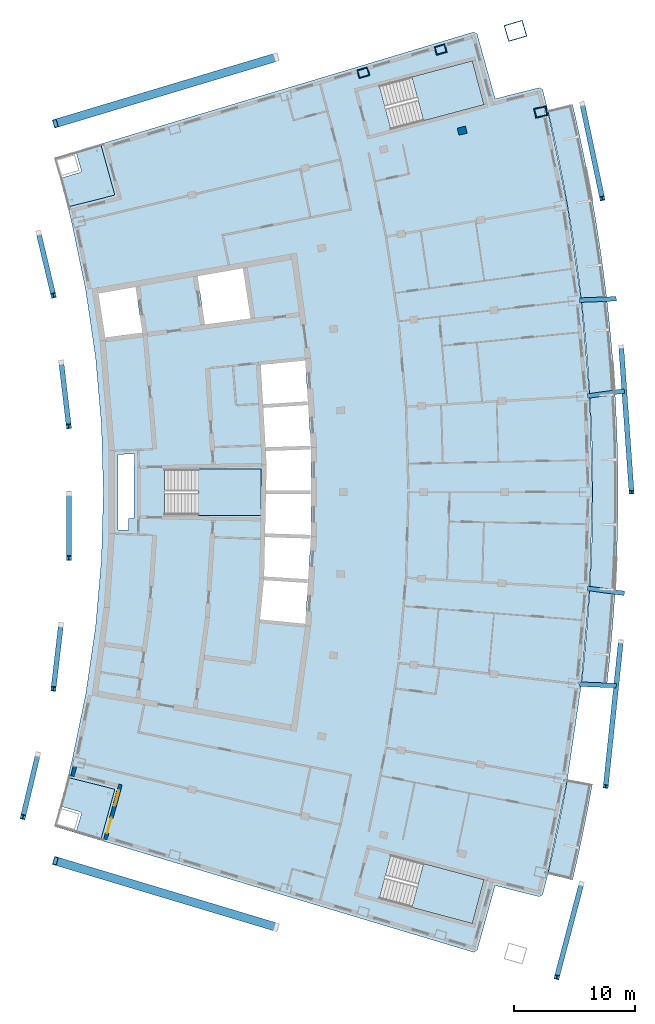
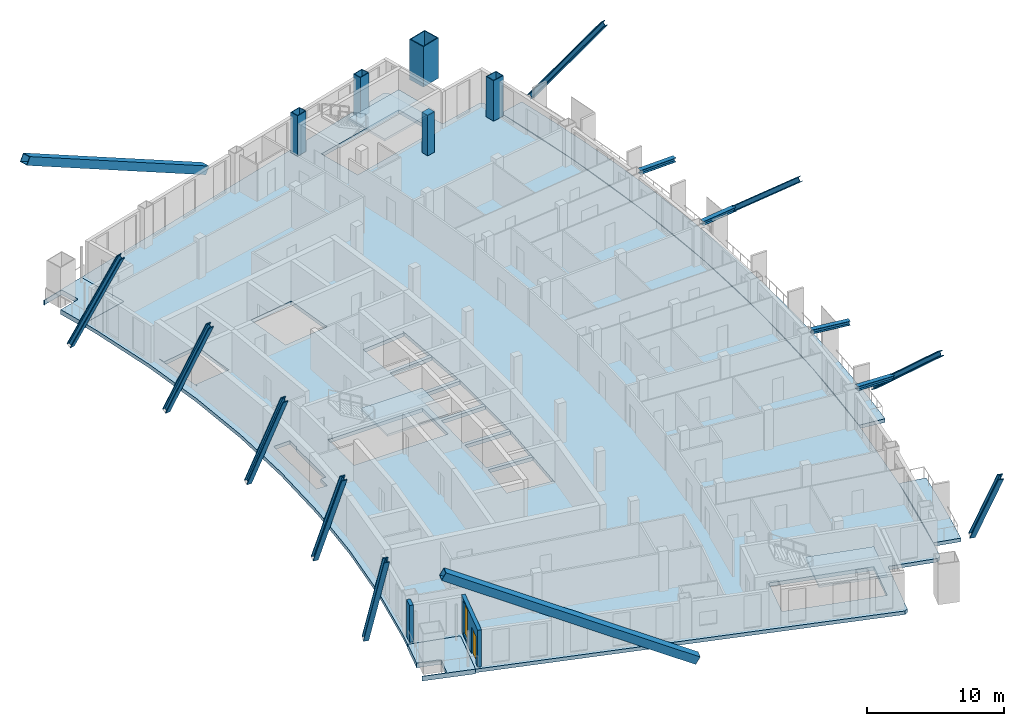
# One storey, part 6 of 17: 15 members, 8 slabs, 5 columns, 2 walls, 1 door, 1 window, 2 openings, 3 elements without a shape of their own.
"""IFC4 building model written with IfcOpenShell, lengths in metres."""

from ifc_helpers import new_model, si_unit, direction, frame, frame_2d, origin, origin_2d, place, context, subcontext, project, spatial, polyline, rectangle, hollow_rectangle, i_section, outline, extrude, material, layer, layer_set, material_profile, profile_set, type_object, element, fill, aggregate, save


model = new_model("IFC4")

# Units and contexts
model_context = context("Model", 3, precision=1e-05, world=origin(), true_north=direction((0.0, 1.0)))
body_context = subcontext(model_context, "Body", "Model", "MODEL_VIEW")
ifc_project = project(units=[si_unit("LENGTHUNIT", "METRE"), si_unit("AREAUNIT", "SQUARE_METRE"), si_unit("VOLUMEUNIT", "CUBIC_METRE"), si_unit("PLANEANGLEUNIT", "RADIAN"), si_unit("MASSUNIT", "GRAM", prefix="KILO")], contexts=[model_context])

# Site, building, storey
site_placement = place(None, origin())
site = spatial("IfcSite", under=ifc_project, at=site_placement, CompositionType="ELEMENT")
building_placement = place(site_placement, origin())
building = spatial("IfcBuilding", under=site, at=building_placement, Name="Alderwake Tower", CompositionType="ELEMENT")
storey_placement = place(building_placement, frame((0.0, 0.0, 278.0)))
storey = spatial("IfcBuildingStorey", under=building, at=storey_placement, Name="L69", CompositionType="ELEMENT", Elevation=278.0)

# Columns
ifc_material_1 = material(Name="Steel ASTM A572 Grade 50 concrete filled C70/85", Category="concrete")
ifc_material_profile_1 = material_profile(ifc_material_1, hollow_rectangle(XDim=0.699951171875, YDim=0.89990234375, WallThickness=0.050048828125, at=origin_2d()), Name="BOX 900X700X50")
ifc_profile_set_1 = profile_set([ifc_material_profile_1], Name="Steel ASTM A572 Grade 50 concrete filled C70/85")
column_type_1 = type_object("IfcColumnType", Name="End column Z5", PredefinedType="COLUMN", material=ifc_profile_set_1)
for number, where, z_axis, x_axis, name in (
    (1, (37.465576171875, 95.64013671875, 0.0), (0.0, 0.0, 1.0), (-0.282853758087, 0.95916304742, 0.0), "Column R12-C3"),
    (2, (43.8505859375, 97.55712890625, 0.0), (0.0, 0.0, 1.0), (-0.283096487049, 0.95909143413, 0.0), "Column R12-C4"),
):
    element("IfcColumn", number, at=place(storey_placement, frame(where, z_axis=z_axis, x_axis=x_axis)), inside=storey, type_object=column_type_1, Name=name, PredefinedType="COLUMN", context=body_context, shape_type="SweptSolid", body=[
        extrude(hollow_rectangle(XDim=0.699951171875, YDim=0.89990234375, WallThickness=0.050048828125, at=origin_2d()), origin(), (0.0, 0.0, 1.0), 3.60009765625),
    ])
ifc_material_2 = material(Name="Concrete C70/85", Category="concrete")
ifc_material_profile_2 = material_profile(ifc_material_2, rectangle(XDim=0.60009765625, YDim=0.699951171875, at=origin_2d()), Name="RC 700X600")
ifc_profile_set_2 = profile_set([ifc_material_profile_2], Name="Concrete C70/85")
column_type_2 = type_object("IfcColumnType", Name="Interior column Z5", PredefinedType="COLUMN", material=ifc_profile_set_2)
column_1_placement = place(storey_placement, frame((45.6337890625, 90.8583984375, 0.0), z_axis=(0.0, 0.0, 1.0), x_axis=(-0.231221547198, 0.972901123502, 0.0)))
element("IfcColumn", 3, at=column_1_placement, inside=storey, type_object=column_type_2, Name="Column R11-C4", PredefinedType="COLUMN", context=body_context, shape_type="SweptSolid", body=[
    extrude(rectangle(XDim=0.60009765625, YDim=0.699951171875, at=origin_2d()), origin(), (0.0, 0.0, 1.0), 3.60009765625),
])
ifc_material_3 = material(Name="Steel ASTM A572 Grade 50 concrete filled C70/85", Category="concrete")
ifc_material_profile_3 = material_profile(ifc_material_3, hollow_rectangle(XDim=1.39990234375, YDim=1.60009765625, WallThickness=0.070068359375, at=origin_2d()), Name="BOX 1600X1400X70")
ifc_profile_set_3 = profile_set([ifc_material_profile_3], Name="Steel ASTM A572 Grade 50 concrete filled C70/85")
column_type_3 = type_object("IfcColumnType", Name="Mega column Z5", PredefinedType="COLUMN", material=ifc_profile_set_3)
column_2_placement = place(storey_placement, frame((50.03271484375, 99.101806640625, 0.0), z_axis=(0.0, 0.0, 1.0), x_axis=(-0.281194346997, 0.959650842347, 0.0)))
element("IfcColumn", 4, at=column_2_placement, inside=storey, type_object=column_type_3, Name="Column R12-C5", PredefinedType="COLUMN", context=body_context, shape_type="SweptSolid", body=[
    extrude(hollow_rectangle(XDim=1.39990234375, YDim=1.60009765625, WallThickness=0.070068359375, at=origin_2d()), origin(), (0.0, 0.0, 1.0), 3.60009765625),
])
ifc_material_4 = material(Name="Steel ASTM A572 Grade 50 concrete filled C70/85", Category="concrete")
ifc_material_profile_4 = material_profile(ifc_material_4, hollow_rectangle(XDim=0.800048828125, YDim=1.0, WallThickness=0.054931640625, at=origin_2d()), Name="BOX 1000X800X55")
ifc_profile_set_4 = profile_set([ifc_material_profile_4], Name="Steel ASTM A572 Grade 50 concrete filled C70/85")
column_type_4 = type_object("IfcColumnType", Name="Perimeter column Z5", PredefinedType="COLUMN", material=ifc_profile_set_4)
column_3_placement = place(storey_placement, frame((52.1201171875, 92.39990234375, 0.0), z_axis=(0.0, 0.0, 1.0), x_axis=(-0.231221547198, 0.972901123502, 0.0)))
element("IfcColumn", 5, at=column_3_placement, inside=storey, type_object=column_type_4, Name="Column R11-C5", PredefinedType="COLUMN", context=body_context, shape_type="SweptSolid", body=[
    extrude(hollow_rectangle(XDim=0.800048828125, YDim=1.0, WallThickness=0.054931640625, at=origin_2d()), origin(), (0.0, 0.0, 1.0), 3.60009765625),
])

# Members
ifc_material_5 = material(Name="Steel ASTM A992 Grade 50", Category="steel")
ifc_material_profile_5 = material_profile(ifc_material_5, i_section(OverallWidth=0.3740234375, OverallDepth=0.372314453125, WebThickness=0.016357421875, FlangeThickness=0.026123046875, at=origin_2d()), Name="W14X132")
ifc_profile_set_5 = profile_set([ifc_material_profile_5], Name="Steel ASTM A992 Grade 50")
member_type_1 = type_object("IfcMemberType", Name="Brace node stub W14X132", PredefinedType="MEMBER", material=ifc_profile_set_5)
member_1_placement = place(storey_placement, frame((56.018310546875, 53.055908203125, 3.393798828125), z_axis=(0.990616625883, -0.136670042526, 0.0), x_axis=(0.136670042526, 0.990616625883, 0.0)))
element("IfcMember", 6, at=member_1_placement, inside=storey, type_object=member_type_1, Name="Brace node stub BS.FR06-C5.2816", PredefinedType="MEMBER", context=body_context, shape_type="SweptSolid", body=[
    extrude(i_section(OverallWidth=0.3740234375, OverallDepth=0.372314453125, WebThickness=0.016357421875, FlangeThickness=0.026123046875, at=origin_2d()), origin(), (0.0, 0.0, 1.0), 3.036865234375),
])
for number, where, z_axis, x_axis, name in (
    (7, (55.323974609375, 45.14111328125, 3.393798828125), (0.999279702021, -0.037948348166, 0.0), (0.037948348166, 0.999279702021, 0.0), "Brace node stub BS.FR05-C5.2816"),
    (8, (55.323974609375, 76.85888671875, 3.393798828125), (0.999279702021, 0.037948348166, 0.0), (-0.037948348166, 0.999279702021, 0.0), "Brace node stub BS.FR09-C5.2816"),
):
    element("IfcMember", number, at=place(storey_placement, frame(where, z_axis=z_axis, x_axis=x_axis)), inside=storey, type_object=member_type_1, Name=name, PredefinedType="MEMBER", context=body_context, shape_type="SweptSolid", body=[
        extrude(i_section(OverallWidth=0.3740234375, OverallDepth=0.372314453125, WebThickness=0.016357421875, FlangeThickness=0.026123046875, at=origin_2d()), origin(), (0.0, 0.0, 1.0), 3.03662109375),
    ])
member_2_placement = place(storey_placement, frame((56.018310546875, 68.944091796875, 3.393798828125), z_axis=(0.990616625883, 0.136670042526, 0.0), x_axis=(-0.136670042526, 0.990616625883, 0.0)))
element("IfcMember", 9, at=member_2_placement, inside=storey, type_object=member_type_1, Name="Brace node stub BS.FR08-C5.2816", PredefinedType="MEMBER", context=body_context, shape_type="SweptSolid", body=[
    extrude(i_section(OverallWidth=0.3740234375, OverallDepth=0.372314453125, WebThickness=0.016357421875, FlangeThickness=0.026123046875, at=origin_2d()), origin(), (0.0, 0.0, 1.0), 3.036865234375),
])
ifc_material_6 = material(Name="Steel ASTM A572 Grade 50", Category="steel")
ifc_material_profile_6 = material_profile(ifc_material_6, hollow_rectangle(XDim=0.699951171875, YDim=0.699951171875, WallThickness=0.044921875, at=origin_2d()), Name="BOX 700X700X45")
ifc_profile_set_6 = profile_set([ifc_material_profile_6], Name="Steel ASTM A572 Grade 50")
member_type_2 = type_object("IfcMemberType", Name="Mega brace end Z5", PredefinedType="BRACE", material=ifc_profile_set_6)
for number, where, z_axis, x_axis, name in (
    (10, (30.263427734375, 25.07666015625, 0.2568359375), (-0.837846094823, 0.251544553991, 0.484498977034), (-0.287547901246, -0.957766257752, 0.0), "Brace BRS5.2.0B2"),
    (11, (30.263427734375, 96.92333984375, 0.2568359375), (-0.837846094823, -0.251544553991, 0.484498977034), (0.287547901246, -0.957766257752, 0.0), "Brace BRN5.2.0B2"),
):
    element("IfcMember", number, at=place(storey_placement, frame(where, z_axis=z_axis, x_axis=x_axis)), inside=storey, type_object=member_type_2, Name=name, PredefinedType="BRACE", context=body_context, shape_type="SweptSolid", body=[
        extrude(hollow_rectangle(XDim=0.699951171875, YDim=0.699951171875, WallThickness=0.044921875, at=origin_2d()), origin(), (0.0, 0.0, 1.0), 21.760986328125),
    ])
ifc_material_7 = material(Name="Steel ASTM A992 Grade 50", Category="steel")
ifc_material_profile_7 = material_profile(ifc_material_7, i_section(OverallWidth=0.41552734375, OverallDepth=0.445556640625, WebThickness=0.0390625, FlangeThickness=0.062744140625, at=origin_2d()), Name="W14X342")
ifc_profile_set_7 = profile_set([ifc_material_profile_7], Name="Steel ASTM A992 Grade 50")
member_type_3 = type_object("IfcMemberType", Name="Mega brace face Z5", PredefinedType="BRACE", material=ifc_profile_set_7)
member_3_placement = place(storey_placement, frame((55.48388671875, 28.65478515625, 0.20361328125), z_axis=(-0.153488232385, -0.581842035699, 0.798687177819), x_axis=(0.966922254669, -0.255071271267, 0.0)))
element("IfcMember", 12, at=member_3_placement, inside=storey, type_object=member_type_3, Name="Brace BRF5.2.2B2", PredefinedType="BRACE", context=body_context, shape_type="SweptSolid", body=[
    extrude(i_section(OverallWidth=0.41552734375, OverallDepth=0.445556640625, WebThickness=0.0390625, FlangeThickness=0.062744140625, at=origin_2d()), origin(), (0.0, 0.0, 1.0), 13.267333984375),
])
for number, where, z_axis, x_axis, name in (
    (13, (58.7373046875, 48.658935546875, 0.16552734375), (-0.077701469333, -0.745271263868, 0.662218411791), (0.994608909203, -0.103697240727, 0.0), "Brace BRF5.2.4B2"),
    (14, (58.766845703125, 73.002685546875, 0.16552734375), (0.053270584125, -0.747414876526, 0.662218428628), (0.997469707831, 0.071092770096, 0.0), "Brace BRF5.2.7B2"),
):
    element("IfcMember", number, at=place(storey_placement, frame(where, z_axis=z_axis, x_axis=x_axis)), inside=storey, type_object=member_type_3, Name=name, PredefinedType="BRACE", context=body_context, shape_type="SweptSolid", body=[
        extrude(i_section(OverallWidth=0.41552734375, OverallDepth=0.445556640625, WebThickness=0.0390625, FlangeThickness=0.062744140625, at=origin_2d()), origin(), (0.0, 0.0, 1.0), 16.058837890625),
    ])
member_4_placement = place(storey_placement, frame((55.549560546875, 93.0693359375, 0.20361328125), z_axis=(0.124706299955, -0.588697646178, 0.798676042044), x_axis=(0.978291081675, 0.20723551702, 0.0)))
element("IfcMember", 15, at=member_4_placement, inside=storey, type_object=member_type_3, Name="Brace BRF5.2.10B2", PredefinedType="BRACE", context=body_context, shape_type="SweptSolid", body=[
    extrude(i_section(OverallWidth=0.41552734375, OverallDepth=0.445556640625, WebThickness=0.0390625, FlangeThickness=0.062744140625, at=origin_2d()), origin(), (0.0, 0.0, 1.0), 13.267578125),
])
for number, where, z_axis, x_axis, name in (
    (16, (10.588134765625, 39.34130859375, 0.25), (-0.104000133004, -0.437639669389, 0.893115609601), (0.972906199362, -0.231200188675, 0.0), "Brace BRR5.2.2B2"),
    (17, (12.493408203125, 50.033203125, 0.25), (-0.052351316231, -0.446773945108, 0.89311386825), (0.993204753755, -0.116380054645, 0.0), "Brace BRR5.2.4B2"),
):
    element("IfcMember", number, at=place(storey_placement, frame(where, z_axis=z_axis, x_axis=x_axis)), inside=storey, type_object=member_type_3, Name=name, PredefinedType="BRACE", context=body_context, shape_type="SweptSolid", body=[
        extrude(i_section(OverallWidth=0.41552734375, OverallDepth=0.445556640625, WebThickness=0.0390625, FlangeThickness=0.062744140625, at=origin_2d()), origin(), (0.0, 0.0, 1.0), 11.812744140625),
    ])
for number, where, z_axis, x_axis, name in (
    (18, (13.141357421875, 60.8740234375, 0.25), (0.0, -0.449815853512, 0.893121323186), (1.0, 0.0, 0.0), "Brace BRR5.2.6B2"),
    (19, (12.522705078125, 71.716796875, 0.25), (0.052372410853, -0.446756919099, 0.893121148456), (0.993198819114, 0.116430690583, 0.0), "Brace BRR5.2.8B2"),
    (20, (10.646484375, 82.413818359375, 0.25), (0.104001073679, -0.437622959872, 0.893123687776), (0.972903743222, 0.231210524034, 0.0), "Brace BRR5.2.10B2"),
):
    element("IfcMember", number, at=place(storey_placement, frame(where, z_axis=z_axis, x_axis=x_axis)), inside=storey, type_object=member_type_3, Name=name, PredefinedType="BRACE", context=body_context, shape_type="SweptSolid", body=[
        extrude(i_section(OverallWidth=0.41552734375, OverallDepth=0.445556640625, WebThickness=0.0390625, FlangeThickness=0.062744140625, at=origin_2d()), origin(), (0.0, 0.0, 1.0), 11.8125),
    ])

# Slabs
ifc_material_8 = material(Name="Concrete C50/60", Category="concrete")
ifc_layer_1 = layer(ifc_material_8, 0.320068359375)
ifc_layer_set_1 = layer_set([ifc_layer_1], Name="Balcony slab 320")
slab_type_1 = type_object("IfcSlabType", Name="Balcony slab 320", PredefinedType="FLOOR", material=ifc_layer_set_1)
slab_1_placement = place(storey_placement, frame((0.0, 0.0, -0.320068359375)))
element("IfcSlab", 21, at=slab_1_placement, inside=storey, type_object=slab_type_1, Name="Balcony BF03", PredefinedType="FLOOR", context=body_context, shape_type="SweptSolid", body=[
    extrude(outline(polyline([(52.70361328125, 29.461181640625), (54.746826171875, 28.975830078125), (55.199462890625, 30.944091796875), (55.623291015625, 32.9189453125), (56.0185546875, 34.899658203125), (56.384521484375, 36.885986328125), (54.316650390625, 37.251708984375), (53.9560546875, 35.29541015625), (53.56689453125, 33.3447265625), (53.1494140625, 31.39990234375), (52.70361328125, 29.461181640625)])), origin(), (0.0, 0.0, 1.0), 0.320068359375),
])
slab_2_placement = place(storey_placement, frame((0.0, 0.0, -0.320068359375)))
element("IfcSlab", 22, at=slab_2_placement, inside=storey, type_object=slab_type_1, Name="Balcony BF05", PredefinedType="FLOOR", context=body_context, shape_type="SweptSolid", body=[
    extrude(outline(polyline([(57.779052734375, 46.885986328125), (57.97021484375, 48.896728515625), (58.132080078125, 50.909912109375), (58.264404296875, 52.92529296875), (58.367431640625, 54.942626953125), (58.441162109375, 56.9609375), (58.4853515625, 58.980224609375), (58.5, 61.0), (58.4853515625, 63.019775390625), (58.441162109375, 65.0390625), (58.367431640625, 67.057373046875), (58.264404296875, 69.07470703125), (58.132080078125, 71.090087890625), (57.97021484375, 73.103271484375), (57.779052734375, 75.114013671875), (57.55859375, 77.12158203125), (57.308837890625, 79.1259765625), (57.02978515625, 81.12646484375), (56.7216796875, 83.12255859375), (56.384521484375, 85.114013671875), (56.0185546875, 87.100341796875), (55.623291015625, 89.0810546875), (55.199462890625, 91.055908203125), (54.746826171875, 93.024169921875), (52.70361328125, 92.538818359375), (53.1494140625, 90.60009765625), (53.56689453125, 88.6552734375), (53.9560546875, 86.70458984375), (54.316650390625, 84.748291015625), (54.648681640625, 82.787109375), (54.9521484375, 80.8212890625), (55.226806640625, 78.85107421875), (55.472900390625, 76.877197265625), (55.68994140625, 74.89990234375), (55.878173828125, 72.919921875), (56.03759765625, 70.93701171875), (56.16796875, 68.9521484375), (56.26953125, 66.965576171875), (56.342041015625, 64.977783203125), (56.385498046875, 62.989013671875), (56.39990234375, 61.0), (56.385498046875, 59.010986328125), (56.342041015625, 57.022216796875), (56.26953125, 55.034423828125), (56.16796875, 53.0478515625), (56.03759765625, 51.06298828125), (55.878173828125, 49.080078125), (55.68994140625, 47.10009765625), (55.472900390625, 45.122802734375), (57.55859375, 44.87841796875), (57.779052734375, 46.885986328125)])), origin(), (0.0, 0.0, 1.0), 0.320068359375),
])
ifc_material_9 = material(Name="Concrete C50/60", Category="concrete")
ifc_layer_2 = layer(ifc_material_9, 0.320068359375)
ifc_layer_set_2 = layer_set([ifc_layer_2], Name="Concrete C50/60 post-tensioned flat plate 320")
slab_type_2 = type_object("IfcSlabType", Name="Concrete C50/60 post-tensioned flat plate 320", PredefinedType="FLOOR", material=ifc_layer_set_2)
slab_3_placement = place(storey_placement, frame((0.0, 0.0, -0.320068359375)))
element("IfcSlab", 23, at=slab_3_placement, inside=storey, type_object=slab_type_2, Name="Floor slab L69", PredefinedType="FLOOR", context=body_context, shape_type="SweptSolid", body=[
    extrude(outline(polyline([(13.06494140625, 37.443115234375), (13.3984375, 38.802734375), (14.53369140625, 44.28564453125), (15.347412109375, 49.825439453125), (15.836669921875, 55.4033203125), (16.0, 61.0), (15.836669921875, 66.5966796875), (15.347412109375, 72.174560546875), (14.53369140625, 77.71435546875), (13.3984375, 83.197265625), (13.06494140625, 84.556884765625), (16.942626953125, 85.53857421875), (15.776611328125, 89.7548828125), (46.587890625, 99.00537109375), (46.869384765625, 98.849853515625), (48.35205078125, 93.489013671875), (52.006591796875, 94.4140625), (52.284423828125, 94.2470703125), (52.70361328125, 92.538818359375), (54.316650390625, 84.748291015625), (55.472900390625, 76.877197265625), (56.16796875, 68.9521484375), (56.39990234375, 61.0), (56.16796875, 53.0478515625), (55.472900390625, 45.122802734375), (54.316650390625, 37.251708984375), (52.70361328125, 29.461181640625), (52.284423828125, 27.7529296875), (52.006591796875, 27.5859375), (48.35205078125, 28.510986328125), (46.869384765625, 23.150146484375), (46.587890625, 22.99462890625), (15.776611328125, 32.2451171875), (16.942626953125, 36.46142578125), (13.06494140625, 37.443115234375)]), holes=[polyline([(29.2578125, 53.77197265625), (28.9365234375, 50.4912109375), (32.646484375, 50.128173828125), (32.6318359375, 49.978759765625), (32.661865234375, 49.975830078125), (32.90087890625, 53.64794921875), (33.139892578125, 57.320068359375), (33.139892578125, 61.0), (33.139892578125, 64.679931640625), (32.90087890625, 68.35205078125), (32.661865234375, 72.024169921875), (32.6318359375, 72.021240234375), (32.646484375, 71.871826171875), (28.886962890625, 71.50390625), (28.88720703125, 71.50048828125), (28.99462890625, 71.506591796875), (29.184814453125, 68.26025390625), (32.861083984375, 68.499755859375), (32.87109375, 68.35009765625), (32.880615234375, 68.200439453125), (29.2021484375, 67.960693359375), (29.392578125, 64.7080078125), (33.105224609375, 64.828857421875), (33.110107421875, 64.678955078125), (33.114990234375, 64.529052734375), (29.41015625, 64.408447265625), (29.4765625, 63.27685546875), (29.429443359375, 61.14990234375), (33.110107421875, 61.14990234375), (33.110107421875, 61.0), (33.110107421875, 60.85009765625), (29.4228515625, 60.85009765625), (29.350830078125, 57.593505859375), (33.114990234375, 57.470947265625), (33.110107421875, 57.321044921875), (33.105224609375, 57.171142578125), (29.34423828125, 57.29345703125), (29.2705078125, 53.969482421875), (29.274169921875, 53.969482421875), (29.2783203125, 54.0341796875), (32.880615234375, 53.799560546875), (32.87109375, 53.64990234375), (32.861083984375, 53.500244140625), (29.2587890625, 53.73486328125), (29.26123046875, 53.771728515625), (29.2578125, 53.77197265625)]), polyline([(21.050048828125, 62.875), (21.050048828125, 59.125), (29.0, 59.125), (29.0, 62.875), (21.050048828125, 62.875)]), polyline([(15.54345703125, 77.892822265625), (15.437744140625, 77.874267578125), (15.4384765625, 77.87060546875), (15.519287109375, 77.8828125), (16.180908203125, 73.579833984375), (16.210693359375, 73.583740234375), (16.184814453125, 73.781982421875), (19.224609375, 74.1796875), (18.656005859375, 77.940673828125), (18.852294921875, 77.97021484375), (18.8505859375, 77.980224609375), (15.626220703125, 77.418212890625), (15.54345703125, 77.892822265625)]), polyline([(27.521240234375, 79.491943359375), (23.77783203125, 78.83935546875), (24.384033203125, 74.858642578125), (24.3642578125, 74.855712890625), (24.36474609375, 74.851806640625), (28.152587890625, 75.347412109375), (27.521240234375, 79.491943359375)]), polyline([(47.436279296875, 28.996826171875), (39.754150390625, 31.043212890625), (38.7890625, 27.41943359375), (46.47119140625, 25.373291015625), (47.436279296875, 28.996826171875)]), polyline([(46.47119140625, 96.626708984375), (38.7890625, 94.58056640625), (39.754150390625, 90.956787109375), (47.436279296875, 93.003173828125), (46.47119140625, 96.626708984375)]), polyline([(17.189453125, 64.114990234375), (17.189453125, 57.885009765625), (18.06298828125, 57.85400390625), (18.090576171875, 58.84375), (18.544189453125, 58.831298828125), (18.529296875, 58.8681640625), (18.5234375, 58.891845703125), (18.5185546875, 58.940673828125), (18.5185546875, 63.060302734375), (18.5234375, 63.109130859375), (18.53759765625, 63.156005859375), (18.560791015625, 63.19921875), (18.588623046875, 63.2333984375), (18.562744140625, 64.16357421875), (17.189453125, 64.114990234375)])]), origin(), (0.0, 0.0, 1.0), 0.320068359375),
])

# Stair, slab
ifc_material_10 = material(Name="Concrete C40/50", Category="concrete")
stair_type = type_object("IfcStairType", Name="Core exit stair", PredefinedType="HALF_TURN_STAIR", material=ifc_material_10)
stair_1_placement = place(storey_placement, origin())
stair_1 = element("IfcStair", 24, at=stair_1_placement, inside=storey, type_object=stair_type, Name="L69 Exit Stair B", PredefinedType="HALF_TURN_STAIR")
ifc_material_11 = material(Name="Concrete C40/50", Category="concrete")
ifc_layer_3 = layer(ifc_material_11, 0.199951171875)
ifc_layer_set_3 = layer_set([ifc_layer_3], Name="Core stair landing 200")
slab_type_3 = type_object("IfcSlabType", Name="Core stair landing 200", PredefinedType="LANDING", material=ifc_layer_set_3)
slab_4_placement = place(storey_placement, frame((0.0, 0.0, 1.60009765625)))
slab_4 = element("IfcSlab", 25, at=slab_4_placement, type_object=slab_type_3, Name="ST-B landing 1", PredefinedType="LANDING", context=body_context, shape_type="SweptSolid", body=[
    extrude(outline(polyline([(23.830078125, 59.074951171875), (29.0, 59.074951171875), (29.0, 62.925048828125), (23.830078125, 62.925048828125), (23.830078125, 59.074951171875)])), origin(), (0.0, 0.0, 1.0), 0.199951171875),
])
aggregate(stair_1, [slab_4])

stair_2_placement = place(storey_placement, origin())
stair_2 = element("IfcStair", 26, at=stair_2_placement, inside=storey, type_object=stair_type, Name="L69 Exit Stair A", PredefinedType="HALF_TURN_STAIR")
slab_5_placement = place(storey_placement, frame((0.0, 0.0, 1.60009765625)))
slab_5 = element("IfcSlab", 27, at=slab_5_placement, type_object=slab_type_3, Name="ST-A landing 1", PredefinedType="LANDING", context=body_context, shape_type="SweptSolid", body=[
    extrude(outline(polyline([(42.440673828125, 91.67236328125), (47.436279296875, 93.003173828125), (46.47119140625, 96.626708984375), (41.475341796875, 95.296142578125), (42.440673828125, 91.67236328125)])), origin(), (0.0, 0.0, 1.0), 0.199951171875),
])
aggregate(stair_2, [slab_5])

stair_3_placement = place(storey_placement, origin())
stair_3 = element("IfcStair", 28, at=stair_3_placement, inside=storey, type_object=stair_type, Name="L69 Exit Stair C", PredefinedType="HALF_TURN_STAIR")
slab_6_placement = place(storey_placement, frame((0.0, 0.0, 1.60009765625)))
slab_6 = element("IfcSlab", 29, at=slab_6_placement, type_object=slab_type_3, Name="ST-C landing 1", PredefinedType="LANDING", context=body_context, shape_type="SweptSolid", body=[
    extrude(outline(polyline([(41.475341796875, 26.703857421875), (46.47119140625, 25.373291015625), (47.436279296875, 28.996826171875), (42.4404296875, 30.32763671875), (41.475341796875, 26.703857421875)])), origin(), (0.0, 0.0, 1.0), 0.199951171875),
])
aggregate(stair_3, [slab_6])

# Slabs
ifc_material_12 = material(Name="Concrete C50/60", Category="concrete")
ifc_layer_4 = layer(ifc_material_12, 0.419921875)
ifc_layer_set_4 = layer_set([ifc_layer_4], Name="Terrace slab 420")
slab_type_4 = type_object("IfcSlabType", Name="Terrace slab 420", PredefinedType="FLOOR", material=ifc_layer_set_4)
slab_7_placement = place(storey_placement, frame((0.0, 0.0, -0.419921875)))
element("IfcSlab", 30, at=slab_7_placement, inside=storey, type_object=slab_type_4, Name="Corner terrace RS", PredefinedType="FLOOR", context=body_context, shape_type="SweptSolid", body=[
    extrude(outline(polyline([(15.776611328125, 32.2451171875), (11.945556640625, 33.395263671875), (11.9697265625, 33.478271484375), (11.97607421875, 33.46826171875), (11.985107421875, 33.456298828125), (11.9951171875, 33.44580078125), (12.006103515625, 33.435791015625), (12.017822265625, 33.42724609375), (12.03076171875, 33.419921875), (12.0439453125, 33.413818359375), (12.05810546875, 33.408935546875), (13.594482421875, 32.963134765625), (13.60888671875, 32.959716796875), (13.62353515625, 32.957763671875), (13.63818359375, 32.957275390625), (13.65283203125, 32.9580078125), (13.66748046875, 32.96044921875), (13.681640625, 32.964111328125), (13.695556640625, 32.969482421875), (13.708740234375, 32.975830078125), (13.72119140625, 32.9833984375), (13.73291015625, 32.992431640625), (13.74365234375, 33.00244140625), (13.75341796875, 33.013427734375), (13.76220703125, 33.025390625), (13.76953125, 33.0380859375), (13.775634765625, 33.051513671875), (13.780517578125, 33.0654296875), (14.17041015625, 34.409912109375), (14.173828125, 34.42431640625), (14.17578125, 34.43896484375), (14.176513671875, 34.45361328125), (14.175537109375, 34.46826171875), (14.173095703125, 34.48291015625), (14.16943359375, 34.4970703125), (14.164306640625, 34.510986328125), (14.157958984375, 34.524169921875), (14.150146484375, 34.53662109375), (14.14111328125, 34.54833984375), (14.131103515625, 34.55908203125), (14.1201171875, 34.56884765625), (14.1083984375, 34.577392578125), (14.095458984375, 34.5849609375), (14.082275390625, 34.591064453125), (14.068115234375, 34.595947265625), (12.531494140625, 35.04150390625), (12.517333984375, 35.044921875), (12.502685546875, 35.047119140625), (12.488037109375, 35.047607421875), (12.473388671875, 35.046630859375), (12.458740234375, 35.044189453125), (12.444580078125, 35.04052734375), (12.4306640625, 35.035400390625), (12.418701171875, 35.029541015625), (12.71142578125, 36.08837890625), (13.06494140625, 37.443115234375), (16.942626953125, 36.46142578125), (15.776611328125, 32.2451171875)])), origin(), (0.0, 0.0, 1.0), 0.419921875),
])
slab_8_placement = place(storey_placement, frame((0.0, 0.0, -0.419921875)))
element("IfcSlab", 31, at=slab_8_placement, inside=storey, type_object=slab_type_4, Name="Corner terrace RN", PredefinedType="FLOOR", context=body_context, shape_type="SweptSolid", body=[
    extrude(outline(polyline([(12.418701171875, 86.970458984375), (12.4306640625, 86.964599609375), (12.444580078125, 86.95947265625), (12.458740234375, 86.955810546875), (12.473388671875, 86.953369140625), (12.488037109375, 86.952392578125), (12.502685546875, 86.952880859375), (12.517333984375, 86.955078125), (12.531494140625, 86.95849609375), (14.068115234375, 87.404052734375), (14.082275390625, 87.408935546875), (14.095458984375, 87.4150390625), (14.1083984375, 87.422607421875), (14.1201171875, 87.43115234375), (14.131103515625, 87.44091796875), (14.14111328125, 87.45166015625), (14.150146484375, 87.46337890625), (14.157958984375, 87.475830078125), (14.164306640625, 87.489013671875), (14.16943359375, 87.5029296875), (14.173095703125, 87.51708984375), (14.175537109375, 87.53173828125), (14.176513671875, 87.54638671875), (14.17578125, 87.56103515625), (14.173828125, 87.57568359375), (14.17041015625, 87.590087890625), (13.780517578125, 88.9345703125), (13.775634765625, 88.948486328125), (13.76953125, 88.9619140625), (13.76220703125, 88.974609375), (13.75341796875, 88.986572265625), (13.74365234375, 88.99755859375), (13.73291015625, 89.007568359375), (13.72119140625, 89.0166015625), (13.708740234375, 89.024169921875), (13.695556640625, 89.030517578125), (13.681640625, 89.035888671875), (13.66748046875, 89.03955078125), (13.65283203125, 89.0419921875), (13.63818359375, 89.042724609375), (13.62353515625, 89.042236328125), (13.60888671875, 89.040283203125), (13.594482421875, 89.036865234375), (12.05810546875, 88.591064453125), (12.0439453125, 88.586181640625), (12.03076171875, 88.580078125), (12.017822265625, 88.57275390625), (12.006103515625, 88.564208984375), (11.9951171875, 88.55419921875), (11.985107421875, 88.543701171875), (11.97607421875, 88.53173828125), (11.9697265625, 88.521728515625), (11.945556640625, 88.604736328125), (15.776611328125, 89.7548828125), (16.942626953125, 85.53857421875), (13.06494140625, 84.556884765625), (12.71142578125, 85.91162109375), (12.418701171875, 86.970458984375)])), origin(), (0.0, 0.0, 1.0), 0.419921875),
])

# Wall
ifc_material_13 = material(Name="Precast concrete C50/60 spandrel panel", Category="concrete")
ifc_layer_5 = layer(ifc_material_13, 0.300048828125)
ifc_layer_set_5 = layer_set([ifc_layer_5], Name="External wall EW1 Precast concrete C50/60 spandrel")
wall_type_1 = type_object("IfcWallType", Name="External wall EW1 Precast concrete C50/60 spandrel", PredefinedType="SOLIDWALL", material=ifc_layer_set_5)
wall_1_placement = place(storey_placement, frame((13.643310546875, 38.33154296875, 0.0), z_axis=(0.0, 0.0, 1.0), x_axis=(-0.238313493867, -0.971188281767, 0.0)))
element("IfcWall", 32, at=wall_1_placement, inside=storey, type_object=wall_type_1, Name="External wall 1", PredefinedType="SOLIDWALL", context=body_context, shape_type="SweptSolid", body=[
    extrude(rectangle(XDim=0.80322265625, YDim=0.300048828125, at=frame_2d((0.401611328125, 0.0))), origin(), (0.0, 0.0, 1.0), 3.280029296875),
])

# Wall, openings, door, window
ifc_material_14 = material(Name="Bronze metal cladding on lightweight framing")
ifc_layer_6 = layer(ifc_material_14, 0.300048828125)
ifc_layer_set_6 = layer_set([ifc_layer_6], Name="External wall EW2 bronze metal cladding")
wall_type_2 = type_object("IfcWallType", Name="External wall EW2 bronze metal cladding", PredefinedType="SOLIDWALL", material=ifc_layer_set_6)
wall_2_placement = place(storey_placement, frame((17.410400390625, 36.85888671875, 0.0), z_axis=(0.0, 0.0, 1.0), x_axis=(-0.264592640785, -0.96436027212, 0.0)))
wall_2 = element("IfcWall", 33, at=wall_2_placement, inside=storey, type_object=wall_type_2, Name="External wall 3", PredefinedType="SOLIDWALL", context=body_context, shape_type="SweptSolid", body=[
    extrude(rectangle(XDim=4.690185546875, YDim=0.300048828125, at=frame_2d((2.34521484375, 0.0))), origin(), (0.0, 0.0, 1.0), 3.280029296875),
])
opening_1_placement = place(wall_2_placement, frame((0.5224609375, 0.0, 0.199951171875)))
opening_1 = element("IfcOpeningElement", 34, at=opening_1_placement, cuts=wall_2, Name="Opening W1", PredefinedType="OPENING", context=body_context, shape_type="SweptSolid", body=[
    extrude(rectangle(XDim=1.300048828125, YDim=2.89990234375, at=frame_2d((0.64990234375, 1.449951171875))), frame((0.0, 0.159912109375, 0.0), z_axis=(0.0, -1.0, 0.0), x_axis=(1.0, 0.0, 0.0)), (0.0, 0.0, 1.0), 0.320068359375),
])
opening_2_placement = place(wall_2_placement, frame((2.867431640625, 0.0, 0.0)))
opening_2 = element("IfcOpeningElement", 35, at=opening_2_placement, cuts=wall_2, Name="Opening D01", PredefinedType="OPENING", context=body_context, shape_type="SweptSolid", body=[
    extrude(rectangle(XDim=1.300048828125, YDim=2.39990234375, at=frame_2d((0.64990234375, 1.199951171875))), frame((0.0, 0.159912109375, 0.0), z_axis=(0.0, -1.0, 0.0), x_axis=(1.0, 0.0, 0.0)), (0.0, 0.0, 1.0), 0.320068359375),
])
ifc_material_15 = material(Name="Bronze tinted glass in aluminium frame", Category="aluminium")
door_type = type_object("IfcDoorType", Name="Balcony door BD sliding", OperationType="SLIDING_TO_LEFT", PredefinedType="DOOR", material=ifc_material_15)
door_placement = place(opening_2_placement, origin())
door = element("IfcDoor", 36, at=door_placement, inside=storey, type_object=door_type, Name="Door D01", OperationType="SLIDING_TO_LEFT", OverallHeight=2.39990234375, OverallWidth=1.300048828125, PredefinedType="DOOR", context=body_context, shape_type="SweptSolid", body=[
    extrude(rectangle(XDim=1.300048828125, YDim=2.39990234375, at=frame_2d((0.64990234375, 1.199951171875))), frame((0.0, 0.02490234375, 0.0), z_axis=(0.0, -1.0, 0.0), x_axis=(1.0, 0.0, 0.0)), (0.0, 0.0, 1.0), 0.050048828125),
])
fill(opening_2, door)
ifc_material_16 = material(Name="Bronze tinted glass in aluminium frame", Category="aluminium")
window_type = type_object("IfcWindowType", Name="Window W1 tall fixed and vent", PartitioningType="DOUBLE_PANEL_VERTICAL", PredefinedType="WINDOW", material=ifc_material_16)
window_placement = place(opening_1_placement, origin())
window = element("IfcWindow", 37, at=window_placement, inside=storey, type_object=window_type, Name="Window W1 tall fixed and vent", OverallHeight=2.89990234375, OverallWidth=1.300048828125, PartitioningType="DOUBLE_PANEL_VERTICAL", PredefinedType="WINDOW", context=body_context, shape_type="SweptSolid", body=[
    extrude(rectangle(XDim=1.300048828125, YDim=2.89990234375, at=frame_2d((0.64990234375, 1.449951171875))), frame((0.0, 0.030029296875, 0.0), z_axis=(0.0, -1.0, 0.0), x_axis=(1.0, 0.0, 0.0)), (0.0, 0.0, 1.0), 0.06005859375),
])
fill(opening_1, window)

save(model, "model.ifc")
